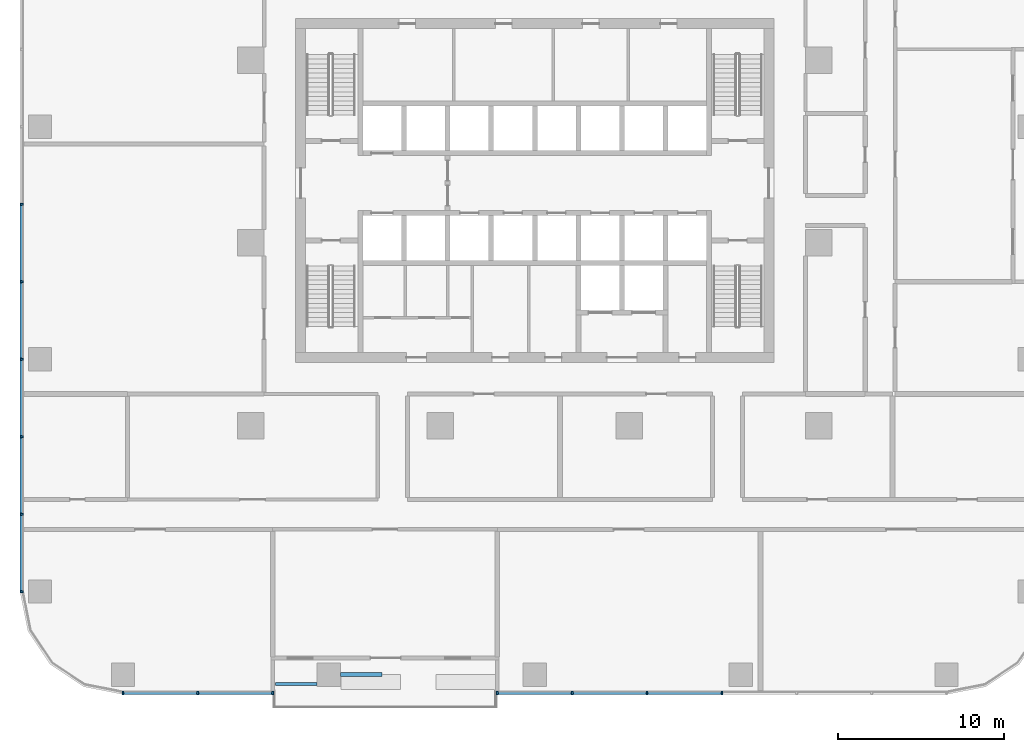
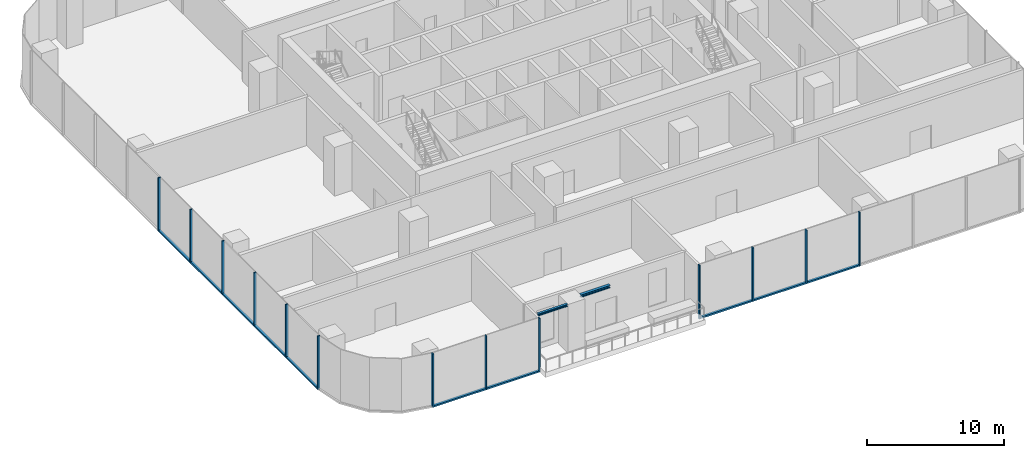
# One storey, part 2 of 15: 23 members, 2 beams, 3 elements without a shape of their own.
"""IFC4 building model written with IfcOpenShell, lengths in metres."""

import ifcopenshell
import ifcopenshell.guid

model = None  # the IFC model being written
_history = None  # IfcOwnerHistory: only IFC2X3 demands one
_inside = {}  # id of a spatial element -> (the spatial element, [elements in it])
_under = {}  # id of a project, library or spatial element -> (it, [spatial elements below it])
_declared = {}  # id of a project -> (the project, [libraries it declares])
_typed = {}  # id of a type object -> (the type object, [elements of that type])
_made_of = {}  # id of a material, layer set ... -> (it, [elements and type objects made of it])


def new_model(schema):
    """Start an empty IFC model of exactly this schema.

    Asked for "IFC4X3", IfcOpenShell would pick the latest addendum, in which some entities
    have other attributes; the version numbers below select the first issue.
    IFC2X3 requires an IfcOwnerHistory on every rooted entity: one is made here for all.
    """
    global model, _history
    if schema == "IFC4X3":
        model = ifcopenshell.file(schema_version=(4, 3, 0, 0))
    else:
        model = ifcopenshell.file(schema=schema)
    _inside.clear()
    _under.clear()
    _declared.clear()
    _typed.clear()
    _made_of.clear()
    _history = None
    if model.schema == "IFC2X3":
        org = make("IfcOrganization", Name="unknown")
        user = make(
            "IfcPersonAndOrganization",
            ThePerson=make("IfcPerson", FamilyName="unknown"),
            TheOrganization=org,
        )
        app = make(
            "IfcApplication",
            ApplicationDeveloper=org,
            Version="unknown",
            ApplicationFullName="unknown",
            ApplicationIdentifier="unknown",
        )
        _history = make(
            "IfcOwnerHistory",
            OwningUser=user,
            OwningApplication=app,
            ChangeAction="ADDED",
            CreationDate=0,
        )
    return model


def make(cls, **values):
    """One entity of the class cls with the attributes given. An attribute that is None is left unset."""
    return model.create_entity(
        cls, **{name: value for name, value in values.items() if value is not None}
    )


def rooted(cls, **values):
    """An entity with a GlobalId (a new one), such as an element, a storey or a relation."""
    return make(cls, GlobalId=ifcopenshell.guid.new(), OwnerHistory=_history, **values)


def si_unit(unit_type, name, prefix=None):
    """IfcSIUnit, for example si_unit("LENGTHUNIT", "METRE", prefix="MILLI")."""
    return make("IfcSIUnit", UnitType=unit_type, Prefix=prefix, Name=name)


def assignment(units):
    """IfcUnitAssignment: the units of a project."""
    return None if units is None else make("IfcUnitAssignment", Units=units)


def point(xyz):
    """IfcCartesianPoint."""
    return None if xyz is None else make("IfcCartesianPoint", Coordinates=xyz)


def direction(xyz):
    """IfcDirection."""
    return None if xyz is None else make("IfcDirection", DirectionRatios=xyz)


def frame(location, z_axis=None, x_axis=None):
    """IfcAxis2Placement3D, a coordinate frame: its origin and axes. An axis left out is left unset."""
    return make(
        "IfcAxis2Placement3D",
        Location=point(location),
        Axis=direction(z_axis),
        RefDirection=direction(x_axis),
    )


def frame_2d(location, x_axis=None):
    """IfcAxis2Placement2D, a coordinate frame in the plane: its origin and x axis."""
    return make(
        "IfcAxis2Placement2D", Location=point(location), RefDirection=direction(x_axis)
    )


def origin():
    """The frame at (0, 0, 0) with its axes left unset."""
    return frame((0.0, 0.0, 0.0))


def origin_2d():
    """The frame at (0, 0) in the plane with its x axis left unset."""
    return frame_2d((0.0, 0.0))


def place(relative_to, where):
    """IfcLocalPlacement: puts the frame where relative to a parent placement (None: the world)."""
    return make(
        "IfcLocalPlacement", PlacementRelTo=relative_to, RelativePlacement=where
    )


def context(
    kind, dimensions, precision=None, world=None, true_north=None, identifier=None
):
    """IfcGeometricRepresentationContext, for example the 3D "Model" context."""
    return make(
        "IfcGeometricRepresentationContext",
        ContextIdentifier=identifier,
        ContextType=kind,
        CoordinateSpaceDimension=dimensions,
        Precision=precision,
        WorldCoordinateSystem=world,
        TrueNorth=true_north,
    )


def subcontext(parent, identifier, kind, view, scale=None):
    """IfcGeometricRepresentationSubContext, for example "Body" below "Model"."""
    return make(
        "IfcGeometricRepresentationSubContext",
        ContextIdentifier=identifier,
        ContextType=kind,
        ParentContext=parent,
        TargetScale=scale,
        TargetView=view,
    )


def project(units=None, contexts=None):
    """IfcProject with its units and contexts."""
    return rooted(
        "IfcProject",
        Name="project",
        RepresentationContexts=contexts,
        UnitsInContext=assignment(units),
    )


def spatial(cls, under=None, at=None, **own):
    """A site, building, storey or space (cls), placed at a placement, below another one or the project."""
    s = rooted(cls, ObjectPlacement=at, **own)
    if under is not None:
        _under.setdefault(under.id(), (under, []))[1].append(s)
    return s


def profile(cls, at=None, kind="AREA", **sizes):
    """A parametric profile (cls). Its sizes go by their IFC names, for example OverallWidth=200.0."""
    return make(cls, ProfileType=kind, Position=at, **sizes)


def rectangle(**sizes):
    """IfcRectangleProfileDef."""
    return profile("IfcRectangleProfileDef", **sizes)


def i_section(**sizes):
    """IfcIShapeProfileDef."""
    return profile("IfcIShapeProfileDef", **sizes)


def extrude(swept, where, along, depth):
    """IfcExtrudedAreaSolid: the profile swept, set in the frame where, extruded along a direction by depth."""
    return make(
        "IfcExtrudedAreaSolid",
        SweptArea=swept,
        Position=where,
        ExtrudedDirection=direction(along),
        Depth=depth,
    )


def shape(context_of_items, identifier, shape_type, items):
    """IfcShapeRepresentation: the items that make up one representation, for example the "Body"."""
    return make(
        "IfcShapeRepresentation",
        ContextOfItems=context_of_items,
        RepresentationIdentifier=identifier,
        RepresentationType=shape_type,
        Items=items,
    )


def material(Name=None, Category=None):
    """IfcMaterial."""
    return make("IfcMaterial", Name=Name, Category=Category)


def material_profile(
    of_material, cross_section, Name=None, Category=None, Priority=None
):
    """IfcMaterialProfile: a cross section and its material."""
    return make(
        "IfcMaterialProfile",
        Name=Name,
        Material=of_material,
        Profile=cross_section,
        Priority=Priority,
        Category=Category,
    )


def profile_set(profiles, Name=None, composite=None):
    """IfcMaterialProfileSet."""
    return make(
        "IfcMaterialProfileSet",
        Name=Name,
        MaterialProfiles=profiles,
        CompositeProfile=composite,
    )


def made_of(thing, what):
    """Note that an element or type object is made of a material, layer set ...; save() writes the relation."""
    if what is not None:
        _made_of.setdefault(what.id(), (what, []))[1].append(thing)
    return thing


def type_object(cls, material=None, **own):
    """A type object (cls), such as IfcWallType, which elements share."""
    return made_of(rooted(cls, **own), material)


def element(
    cls,
    number,
    at=None,
    inside=None,
    cuts=None,
    type_object=None,
    material=None,
    context=None,
    identifier="Body",
    shape_type=None,
    held_by="IfcProductDefinitionShape",
    body=None,
    shapes=None,
    **own,
):
    """One element of the class cls, such as IfcWall. Its Tag is "e" and its number.

    at: its placement. inside: the storey or other place that contains it. cuts: it is an
    opening in that element (IfcRelVoidsElement). A single representation is given by context,
    identifier, shape_type and body (its items); several are given by shapes. held_by: the class
    of the entity that holds the representations. save() writes the other relations.
    """
    e = rooted(cls, Tag="e%d" % number, ObjectPlacement=at, **own)
    if body is not None:
        shapes = [shape(context, identifier, shape_type, body)]
    if shapes is not None:
        e.Representation = make(held_by, Representations=shapes)
    if inside is not None:
        _inside.setdefault(inside.id(), (inside, []))[1].append(e)
    if cuts is not None:
        rooted(
            "IfcRelVoidsElement", RelatingBuildingElement=cuts, RelatedOpeningElement=e
        )
    if type_object is not None:
        _typed.setdefault(type_object.id(), (type_object, []))[1].append(e)
    return made_of(e, material)


def aggregate(whole, parts):
    """IfcRelAggregates: a whole, such as a stair, and the parts it consists of."""
    return rooted("IfcRelAggregates", RelatingObject=whole, RelatedObjects=parts)


def save(model, path):
    """Write the relations noted so far, then the file.

    IfcRelAggregates (storeys below a building ...), IfcRelContainedInSpatialStructure (elements
    in a storey), IfcRelDefinesByType, IfcRelAssociatesMaterial and IfcRelDeclares: one each for
    every whole, place, type object, material and project.
    """
    for whole, parts in _under.values():
        aggregate(whole, parts)
    for where, things in _inside.values():
        rooted(
            "IfcRelContainedInSpatialStructure",
            RelatedElements=things,
            RelatingStructure=where,
        )
    for kind, things in _typed.values():
        rooted("IfcRelDefinesByType", RelatedObjects=things, RelatingType=kind)
    for what, things in _made_of.values():
        rooted("IfcRelAssociatesMaterial", RelatedObjects=things, RelatingMaterial=what)
    for by, libraries in _declared.values():
        rooted("IfcRelDeclares", RelatingContext=by, RelatedDefinitions=libraries)
    model.write(path)


model = new_model("IFC4")

# Units and contexts
model_context = context("Model", 3, precision=1e-05, world=origin(), true_north=direction((0.0, 1.0)))
body_context = subcontext(model_context, "Body", "Model", "MODEL_VIEW")
ifc_project = project(units=[si_unit("LENGTHUNIT", "METRE"), si_unit("AREAUNIT", "SQUARE_METRE"), si_unit("VOLUMEUNIT", "CUBIC_METRE"), si_unit("PLANEANGLEUNIT", "RADIAN"), si_unit("MASSUNIT", "GRAM", prefix="KILO")], contexts=[model_context])

# Site, building, storey
site_placement = place(None, origin())
site = spatial("IfcSite", under=ifc_project, at=site_placement, CompositionType="ELEMENT")
building_placement = place(site_placement, origin())
building = spatial("IfcBuilding", under=site, at=building_placement, Name="Mopane Tessera Tower", CompositionType="ELEMENT")
storey_placement = place(building_placement, frame((0.0, 0.0, 79.0)))
storey = spatial("IfcBuildingStorey", under=building, at=storey_placement, Name="L15", CompositionType="ELEMENT", Elevation=79.0)

# Curtain wall, members
ifc_material_1 = material(Name="Aluminium frame", Category="aluminium")
curtain_wall_type = type_object("IfcCurtainWallType", Name="Lower tower unitised wall", PredefinedType="NOTDEFINED", material=ifc_material_1)
curtain_wall_1_placement = place(storey_placement, origin())
curtain_wall_1 = element("IfcCurtainWall", 1, at=curtain_wall_1_placement, inside=storey, type_object=curtain_wall_type, Name="e:cw:L15:S:0", PredefinedType="NOTDEFINED")
ifc_material_2 = material(Name="Aluminium frame", Category="aluminium")
ifc_material_profile_1 = material_profile(ifc_material_2, rectangle(XDim=0.110107421875, YDim=0.199951171875, at=origin_2d()))
ifc_profile_set_1 = profile_set([ifc_material_profile_1], Name="Aluminium frame")
member_type_1 = type_object("IfcMemberType", Name="Aluminium mullion 110 x 200", PredefinedType="MULLION", material=ifc_profile_set_1)
member_1_placement = place(storey_placement, frame((-24.800048828125, -27.10009765625, -0.449951171875), z_axis=(0.0, 0.0, 1.0), x_axis=(1.0, 0.0, 0.0)))
member_1 = element("IfcMember", 2, at=member_1_placement, type_object=member_type_1, Name="e:cw:L15:S:0:mu0", PredefinedType="MULLION", context=body_context, shape_type="SweptSolid", body=[
    extrude(rectangle(XDim=0.110107421875, YDim=0.199951171875, at=origin_2d()), origin(), (0.0, 0.0, 1.0), 4.800048828125),
])
member_2_placement = place(storey_placement, frame((-20.291015625, -27.10009765625, -0.449951171875), z_axis=(0.0, 0.0, 1.0), x_axis=(1.0, 0.0, 0.0)))
member_2 = element("IfcMember", 3, at=member_2_placement, type_object=member_type_1, Name="e:cw:L15:S:0:mu1", PredefinedType="MULLION", context=body_context, shape_type="SweptSolid", body=[
    extrude(rectangle(XDim=0.110107421875, YDim=0.199951171875, at=origin_2d()), origin(), (0.0, 0.0, 1.0), 4.800048828125),
])
member_3_placement = place(storey_placement, frame((-15.78173828125, -27.10009765625, -0.449951171875), z_axis=(0.0, 0.0, 1.0), x_axis=(1.0, 0.0, 0.0)))
member_3 = element("IfcMember", 4, at=member_3_placement, type_object=member_type_1, Name="e:cw:L15:S:0:mu2", PredefinedType="MULLION", context=body_context, shape_type="SweptSolid", body=[
    extrude(rectangle(XDim=0.110107421875, YDim=0.199951171875, at=origin_2d()), origin(), (0.0, 0.0, 1.0), 4.800048828125),
])

curtain_wall_2_placement = place(storey_placement, origin())
curtain_wall_2 = element("IfcCurtainWall", 5, at=curtain_wall_2_placement, inside=storey, type_object=curtain_wall_type, Name="e:cw:L15:S:5", PredefinedType="NOTDEFINED")
member_4_placement = place(storey_placement, frame((-2.254638671875, -27.10009765625, -0.449951171875), z_axis=(0.0, 0.0, 1.0), x_axis=(1.0, 0.0, 0.0)))
member_4 = element("IfcMember", 6, at=member_4_placement, type_object=member_type_1, Name="e:cw:L15:S:5:mu5", PredefinedType="MULLION", context=body_context, shape_type="SweptSolid", body=[
    extrude(rectangle(XDim=0.110107421875, YDim=0.199951171875, at=origin_2d()), origin(), (0.0, 0.0, 1.0), 4.800048828125),
])
member_5_placement = place(storey_placement, frame((2.254638671875, -27.10009765625, -0.449951171875), z_axis=(0.0, 0.0, 1.0), x_axis=(1.0, 0.0, 0.0)))
member_5 = element("IfcMember", 7, at=member_5_placement, type_object=member_type_1, Name="e:cw:L15:S:5:mu6", PredefinedType="MULLION", context=body_context, shape_type="SweptSolid", body=[
    extrude(rectangle(XDim=0.110107421875, YDim=0.199951171875, at=origin_2d()), origin(), (0.0, 0.0, 1.0), 4.800048828125),
])
member_6_placement = place(storey_placement, frame((6.763671875, -27.10009765625, -0.449951171875), z_axis=(0.0, 0.0, 1.0), x_axis=(1.0, 0.0, 0.0)))
member_6 = element("IfcMember", 8, at=member_6_placement, type_object=member_type_1, Name="e:cw:L15:S:5:mu7", PredefinedType="MULLION", context=body_context, shape_type="SweptSolid", body=[
    extrude(rectangle(XDim=0.110107421875, YDim=0.199951171875, at=origin_2d()), origin(), (0.0, 0.0, 1.0), 4.800048828125),
])
member_7_placement = place(storey_placement, frame((11.272705078125, -27.10009765625, -0.449951171875), z_axis=(0.0, 0.0, 1.0), x_axis=(1.0, 0.0, 0.0)))
member_7 = element("IfcMember", 9, at=member_7_placement, type_object=member_type_1, Name="e:cw:L15:S:5:mu8", PredefinedType="MULLION", context=body_context, shape_type="SweptSolid", body=[
    extrude(rectangle(XDim=0.110107421875, YDim=0.199951171875, at=origin_2d()), origin(), (0.0, 0.0, 1.0), 4.800048828125),
])

curtain_wall_3_placement = place(storey_placement, origin())
curtain_wall_3 = element("IfcCurtainWall", 10, at=curtain_wall_3_placement, inside=storey, type_object=curtain_wall_type, Name="e:cw:L15:W:0", PredefinedType="NOTDEFINED")
member_8_placement = place(storey_placement, frame((-30.89990234375, 2.333251953125, -0.449951171875), z_axis=(0.0, 0.0, 1.0), x_axis=(0.0, -1.0, 0.0)))
member_8 = element("IfcMember", 11, at=member_8_placement, type_object=member_type_1, Name="e:cw:L15:W:0:mu4", PredefinedType="MULLION", context=body_context, shape_type="SweptSolid", body=[
    extrude(rectangle(XDim=0.110107421875, YDim=0.199951171875, at=origin_2d()), origin(), (0.0, 0.0, 1.0), 4.800048828125),
])
member_9_placement = place(storey_placement, frame((-30.89990234375, -2.333251953125, -0.449951171875), z_axis=(0.0, 0.0, 1.0), x_axis=(0.0, -1.0, 0.0)))
member_9 = element("IfcMember", 12, at=member_9_placement, type_object=member_type_1, Name="e:cw:L15:W:0:mu5", PredefinedType="MULLION", context=body_context, shape_type="SweptSolid", body=[
    extrude(rectangle(XDim=0.110107421875, YDim=0.199951171875, at=origin_2d()), origin(), (0.0, 0.0, 1.0), 4.800048828125),
])
member_10_placement = place(storey_placement, frame((-30.89990234375, -7.0, -0.449951171875), z_axis=(0.0, 0.0, 1.0), x_axis=(0.0, -1.0, 0.0)))
member_10 = element("IfcMember", 13, at=member_10_placement, type_object=member_type_1, Name="e:cw:L15:W:0:mu6", PredefinedType="MULLION", context=body_context, shape_type="SweptSolid", body=[
    extrude(rectangle(XDim=0.110107421875, YDim=0.199951171875, at=origin_2d()), origin(), (0.0, 0.0, 1.0), 4.800048828125),
])
member_11_placement = place(storey_placement, frame((-30.89990234375, -11.666748046875, -0.449951171875), z_axis=(0.0, 0.0, 1.0), x_axis=(0.0, -1.0, 0.0)))
member_11 = element("IfcMember", 14, at=member_11_placement, type_object=member_type_1, Name="e:cw:L15:W:0:mu7", PredefinedType="MULLION", context=body_context, shape_type="SweptSolid", body=[
    extrude(rectangle(XDim=0.110107421875, YDim=0.199951171875, at=origin_2d()), origin(), (0.0, 0.0, 1.0), 4.800048828125),
])
member_12_placement = place(storey_placement, frame((-30.89990234375, -16.333251953125, -0.449951171875), z_axis=(0.0, 0.0, 1.0), x_axis=(0.0, -1.0, 0.0)))
member_12 = element("IfcMember", 15, at=member_12_placement, type_object=member_type_1, Name="e:cw:L15:W:0:mu8", PredefinedType="MULLION", context=body_context, shape_type="SweptSolid", body=[
    extrude(rectangle(XDim=0.110107421875, YDim=0.199951171875, at=origin_2d()), origin(), (0.0, 0.0, 1.0), 4.800048828125),
])
member_13_placement = place(storey_placement, frame((-30.89990234375, -21.0, -0.449951171875), z_axis=(0.0, 0.0, 1.0), x_axis=(0.0, -1.0, 0.0)))
member_13 = element("IfcMember", 16, at=member_13_placement, type_object=member_type_1, Name="e:cw:L15:W:0:mu9", PredefinedType="MULLION", context=body_context, shape_type="SweptSolid", body=[
    extrude(rectangle(XDim=0.110107421875, YDim=0.199951171875, at=origin_2d()), origin(), (0.0, 0.0, 1.0), 4.800048828125),
])

# Member
ifc_material_3 = material(Name="Aluminium frame", Category="aluminium")
ifc_material_profile_2 = material_profile(ifc_material_3, rectangle(XDim=0.199951171875, YDim=0.139892578125, at=origin_2d()))
ifc_profile_set_2 = profile_set([ifc_material_profile_2], Name="Aluminium frame")
member_type_2 = type_object("IfcMemberType", Name="Aluminium transom 200 x 140", PredefinedType="USERDEFINED", material=ifc_profile_set_2)
member_14_placement = place(storey_placement, frame((-24.7451171875, -27.10009765625, -0.3798828125), z_axis=(1.0, 0.0, 0.0), x_axis=(0.0, 1.0, 0.0)))
member_14 = element("IfcMember", 17, at=member_14_placement, type_object=member_type_2, Name="e:cw:L15:S:0:tr0", ObjectType="TRANSOM", PredefinedType="USERDEFINED", context=body_context, shape_type="SweptSolid", body=[
    extrude(rectangle(XDim=0.199951171875, YDim=0.139892578125, at=origin_2d()), origin(), (0.0, 0.0, 1.0), 4.399169921875),
])

member_15_placement = place(storey_placement, frame((-20.23583984375, -27.10009765625, -0.3798828125), z_axis=(1.0, 0.0, 0.0), x_axis=(0.0, 1.0, 0.0)))
member_15 = element("IfcMember", 18, at=member_15_placement, type_object=member_type_2, Name="e:cw:L15:S:0:tr1", ObjectType="TRANSOM", PredefinedType="USERDEFINED", context=body_context, shape_type="SweptSolid", body=[
    extrude(rectangle(XDim=0.199951171875, YDim=0.139892578125, at=origin_2d()), origin(), (0.0, 0.0, 1.0), 4.39892578125),
])

aggregate(curtain_wall_1, [member_1, member_2, member_3, member_14, member_15])

member_16_placement = place(storey_placement, frame((-2.199462890625, -27.10009765625, -0.3798828125), z_axis=(1.0, 0.0, 0.0), x_axis=(0.0, 1.0, 0.0)))
member_16 = element("IfcMember", 19, at=member_16_placement, type_object=member_type_2, Name="e:cw:L15:S:5:tr5", ObjectType="TRANSOM", PredefinedType="USERDEFINED", context=body_context, shape_type="SweptSolid", body=[
    extrude(rectangle(XDim=0.199951171875, YDim=0.139892578125, at=origin_2d()), origin(), (0.0, 0.0, 1.0), 4.39892578125),
])

member_17_placement = place(storey_placement, frame((2.3095703125, -27.10009765625, -0.3798828125), z_axis=(1.0, 0.0, 0.0), x_axis=(0.0, 1.0, 0.0)))
member_17 = element("IfcMember", 20, at=member_17_placement, type_object=member_type_2, Name="e:cw:L15:S:5:tr6", ObjectType="TRANSOM", PredefinedType="USERDEFINED", context=body_context, shape_type="SweptSolid", body=[
    extrude(rectangle(XDim=0.199951171875, YDim=0.139892578125, at=origin_2d()), origin(), (0.0, 0.0, 1.0), 4.399169921875),
])

member_18_placement = place(storey_placement, frame((6.818603515625, -27.10009765625, -0.3798828125), z_axis=(1.0, 0.0, 0.0), x_axis=(0.0, 1.0, 0.0)))
member_18 = element("IfcMember", 21, at=member_18_placement, type_object=member_type_2, Name="e:cw:L15:S:5:tr7", ObjectType="TRANSOM", PredefinedType="USERDEFINED", context=body_context, shape_type="SweptSolid", body=[
    extrude(rectangle(XDim=0.199951171875, YDim=0.139892578125, at=origin_2d()), origin(), (0.0, 0.0, 1.0), 4.399169921875),
])

aggregate(curtain_wall_2, [member_4, member_5, member_6, member_7, member_16, member_17, member_18])

member_19_placement = place(storey_placement, frame((-30.89990234375, 2.2783203125, -0.3798828125), z_axis=(0.0, -1.0, 0.0), x_axis=(1.0, 0.0, 0.0)))
member_19 = element("IfcMember", 22, at=member_19_placement, type_object=member_type_2, Name="e:cw:L15:W:0:tr4", ObjectType="TRANSOM", PredefinedType="USERDEFINED", context=body_context, shape_type="SweptSolid", body=[
    extrude(rectangle(XDim=0.199951171875, YDim=0.139892578125, at=origin_2d()), origin(), (0.0, 0.0, 1.0), 4.556640625),
])

member_20_placement = place(storey_placement, frame((-30.89990234375, -2.388427734375, -0.3798828125), z_axis=(0.0, -1.0, 0.0), x_axis=(1.0, 0.0, 0.0)))
member_20 = element("IfcMember", 23, at=member_20_placement, type_object=member_type_2, Name="e:cw:L15:W:0:tr5", ObjectType="TRANSOM", PredefinedType="USERDEFINED", context=body_context, shape_type="SweptSolid", body=[
    extrude(rectangle(XDim=0.199951171875, YDim=0.139892578125, at=origin_2d()), origin(), (0.0, 0.0, 1.0), 4.556640625),
])

member_21_placement = place(storey_placement, frame((-30.89990234375, -7.054931640625, -0.3798828125), z_axis=(0.0, -1.0, 0.0), x_axis=(1.0, 0.0, 0.0)))
member_21 = element("IfcMember", 24, at=member_21_placement, type_object=member_type_2, Name="e:cw:L15:W:0:tr6", ObjectType="TRANSOM", PredefinedType="USERDEFINED", context=body_context, shape_type="SweptSolid", body=[
    extrude(rectangle(XDim=0.199951171875, YDim=0.139892578125, at=origin_2d()), origin(), (0.0, 0.0, 1.0), 4.556640625),
])

member_22_placement = place(storey_placement, frame((-30.89990234375, -11.7216796875, -0.3798828125), z_axis=(0.0, -1.0, 0.0), x_axis=(1.0, 0.0, 0.0)))
member_22 = element("IfcMember", 25, at=member_22_placement, type_object=member_type_2, Name="e:cw:L15:W:0:tr7", ObjectType="TRANSOM", PredefinedType="USERDEFINED", context=body_context, shape_type="SweptSolid", body=[
    extrude(rectangle(XDim=0.199951171875, YDim=0.139892578125, at=origin_2d()), origin(), (0.0, 0.0, 1.0), 4.556640625),
])

member_23_placement = place(storey_placement, frame((-30.89990234375, -16.388427734375, -0.3798828125), z_axis=(0.0, -1.0, 0.0), x_axis=(1.0, 0.0, 0.0)))
member_23 = element("IfcMember", 26, at=member_23_placement, type_object=member_type_2, Name="e:cw:L15:W:0:tr8", ObjectType="TRANSOM", PredefinedType="USERDEFINED", context=body_context, shape_type="SweptSolid", body=[
    extrude(rectangle(XDim=0.199951171875, YDim=0.139892578125, at=origin_2d()), origin(), (0.0, 0.0, 1.0), 4.556640625),
])

aggregate(curtain_wall_3, [member_8, member_9, member_10, member_11, member_12, member_13, member_19, member_20, member_21, member_22, member_23])

# Beams
ifc_material_4 = material(Name="Structural steel S460", Category="steel")
ifc_material_profile_3 = material_profile(ifc_material_4, i_section(OverallWidth=0.239990234375, OverallDepth=0.239990234375, WebThickness=0.010009765625, FlangeThickness=0.01708984375, FilletRadius=0.02099609375, at=origin_2d()))
ifc_profile_set_3 = profile_set([ifc_material_profile_3], Name="Structural steel S460")
beam_type_1 = type_object("IfcBeamType", Name="Terrace spandrel beam HE 240 B", PredefinedType="SPANDREL", material=ifc_profile_set_3)
beam_1_placement = place(storey_placement, frame((-11.697021484375, -26.0, 4.22998046875), z_axis=(1.0, 0.0, 0.0), x_axis=(0.0, 1.0, 0.0)))
element("IfcBeam", 27, at=beam_1_placement, inside=storey, type_object=beam_type_1, Name="Terrace spandrel beam N3 L16", PredefinedType="SPANDREL", context=body_context, shape_type="SweptSolid", body=[
    extrude(i_section(OverallWidth=0.239990234375, OverallDepth=0.239990234375, WebThickness=0.010009765625, FlangeThickness=0.01708984375, FilletRadius=0.02099609375, at=origin_2d()), origin(), (0.0, 0.0, 1.0), 2.5),
])
ifc_material_5 = material(Name="Structural steel S460", Category="steel")
ifc_material_profile_4 = material_profile(ifc_material_5, i_section(OverallWidth=0.199951171875, OverallDepth=0.199951171875, WebThickness=0.009033203125, FlangeThickness=0.014892578125, FilletRadius=0.01806640625, at=origin_2d()))
ifc_profile_set_4 = profile_set([ifc_material_profile_4], Name="Structural steel S460")
beam_type_2 = type_object("IfcBeamType", Name="Terrace trimmer beam HE 200 B", PredefinedType="BEAM", material=ifc_profile_set_4)
beam_2_placement = place(storey_placement, frame((-13.102783203125, -26.56005859375, 4.25), z_axis=(-1.0, 0.0, 0.0), x_axis=(0.0, -1.0, 0.0)))
element("IfcBeam", 28, at=beam_2_placement, inside=storey, type_object=beam_type_2, Name="Terrace trimmer beam N3 L16", PredefinedType="BEAM", context=body_context, shape_type="SweptSolid", body=[
    extrude(i_section(OverallWidth=0.199951171875, OverallDepth=0.199951171875, WebThickness=0.009033203125, FlangeThickness=0.014892578125, FilletRadius=0.01806640625, at=origin_2d()), origin(), (0.0, 0.0, 1.0), 2.5),
])

save(model, "model.ifc")
